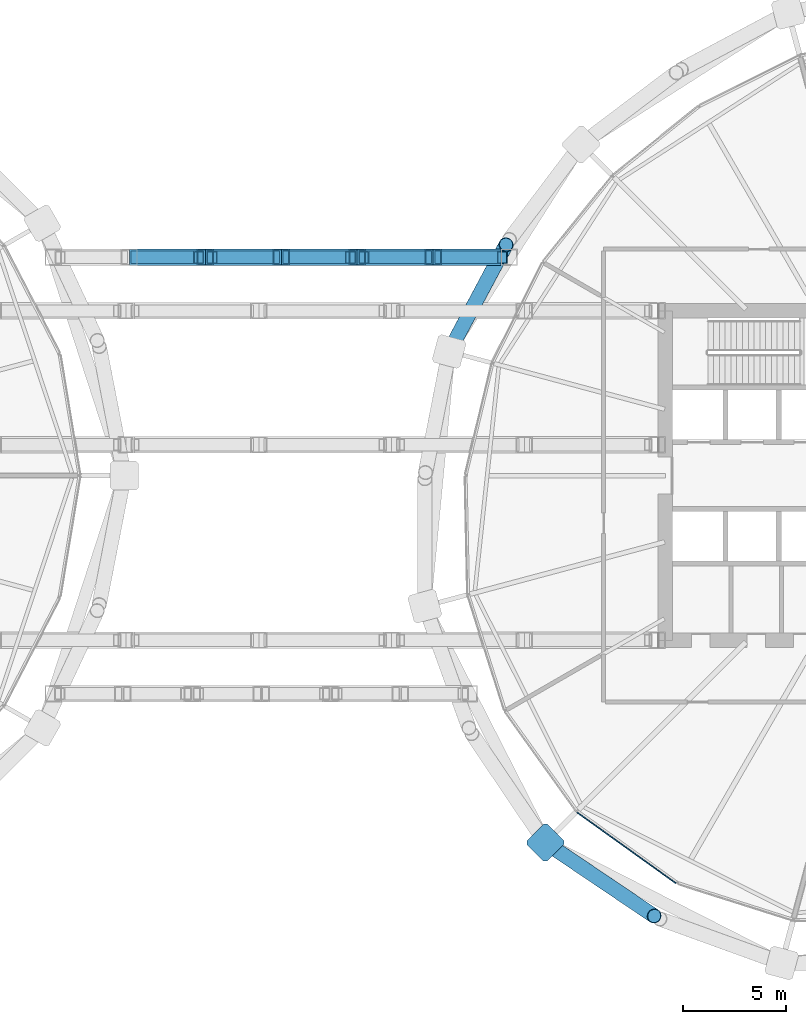
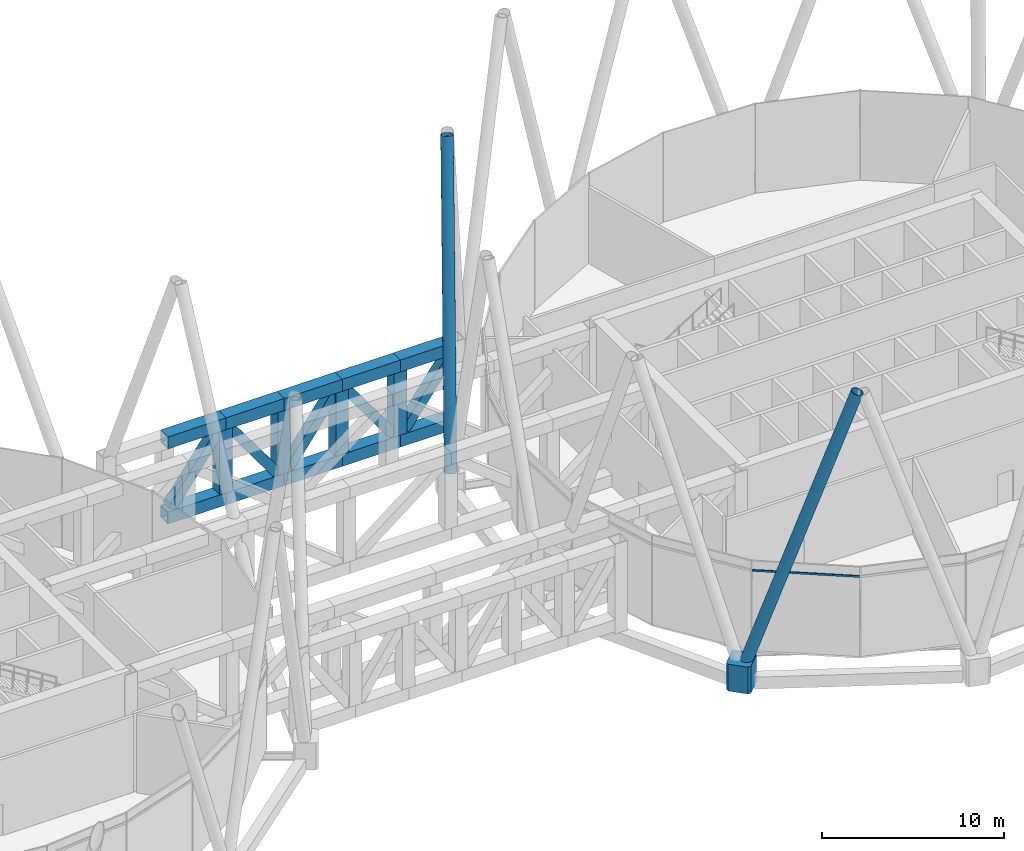
# One storey, part 17 of 39: 23 members, 1 element without a shape of its own.
"""IFC4 building model written with IfcOpenShell, lengths in metres."""

from ifc_helpers import new_model, si_unit, direction, frame, origin, origin_2d, place, context, subcontext, project, spatial, polyline, rectangle, hollow_rectangle, hollow_circle, outline, extrude, material, material_profile, profile_set, type_object, element, aggregate, save


model = new_model("IFC4")

# Units and contexts
model_context = context("Model", 3, precision=1e-05, world=origin(), true_north=direction((0.0, 1.0)))
body_context = subcontext(model_context, "Body", "Model", "MODEL_VIEW")
ifc_project = project(units=[si_unit("LENGTHUNIT", "METRE"), si_unit("AREAUNIT", "SQUARE_METRE"), si_unit("VOLUMEUNIT", "CUBIC_METRE"), si_unit("PLANEANGLEUNIT", "RADIAN"), si_unit("MASSUNIT", "GRAM", prefix="KILO")], contexts=[model_context])

# Site, building, storey
site_placement = place(None, origin())
site = spatial("IfcSite", under=ifc_project, at=site_placement, CompositionType="ELEMENT")
building_placement = place(site_placement, origin())
building = spatial("IfcBuilding", under=site, at=building_placement, Name="Rimbun Link Towers", CompositionType="ELEMENT")
storey_placement = place(building_placement, frame((0.0, 0.0, 127.199951171875)))
storey = spatial("IfcBuildingStorey", under=building, at=storey_placement, Name="L31", CompositionType="ELEMENT", Elevation=127.199951171875)

# Curtain wall, member
ifc_material_1 = material(Name="Aluminium 6063-T6 louvre wall", Category="aluminium")
curtain_wall_type = type_object("IfcCurtainWallType", Name="CW6 plant floor louvre wall", PredefinedType="NOTDEFINED", material=ifc_material_1)
curtain_wall_placement = place(storey_placement, origin())
curtain_wall = element("IfcCurtainWall", 1, at=curtain_wall_placement, inside=storey, type_object=curtain_wall_type, Name="CW6 L31 T2", PredefinedType="NOTDEFINED")
ifc_material_2 = material(Name="Aluminium 6063-T6", Category="aluminium")
ifc_material_profile_1 = material_profile(ifc_material_2, rectangle(XDim=0.06005859375, YDim=0.1201171875, at=origin_2d()), Name="TRANSOM 60X120")
ifc_profile_set_1 = profile_set([ifc_material_profile_1], Name="Aluminium 6063-T6")
member_type_1 = type_object("IfcMemberType", Name="CW6 transom 60X120", PredefinedType="USERDEFINED", material=ifc_profile_set_1)
member_1_placement = place(storey_placement, frame((20.263916015625, -19.80908203125, 5.400146484375), z_axis=(-0.812476177925, 0.582994391315, 0.0), x_axis=(-0.582994391315, -0.812476177925, 0.0)))
member_1 = element("IfcMember", 2, at=member_1_placement, type_object=member_type_1, Name="CW6 transom", ObjectType="TRANSOM", PredefinedType="USERDEFINED", context=body_context, shape_type="SweptSolid", body=[
    extrude(rectangle(XDim=0.06005859375, YDim=0.1201171875, at=origin_2d()), origin(), (0.0, 0.0, 1.0), 5.9130859375),
])
aggregate(curtain_wall, [member_1])

# Members
ifc_material_3 = material(Name="Steel S460NH", Category="steel")
ifc_material_profile_2 = material_profile(ifc_material_3, hollow_circle(Radius=0.355712890625, WallThickness=0.031982421875, at=origin_2d()), Name="Diagrid diagonal CHS 711x32")
ifc_profile_set_2 = profile_set([ifc_material_profile_2], Name="Steel S460NH")
member_type_2 = type_object("IfcMemberType", Name="Diagrid diagonal CHS 711x32", PredefinedType="BRACE", material=ifc_profile_set_2)
member_2_placement = place(storey_placement, frame((9.31787109375, 6.158935546875, 0.47802734375), z_axis=(0.138395565183, 0.259582421547, 0.955752914702), x_axis=(-0.882421239068, 0.470460154362, 0.0)))
element("IfcMember", 3, at=member_2_placement, inside=storey, type_object=member_type_2, Name="Diagrid diagonal T2 L31-L35 08a", PredefinedType="BRACE", context=body_context, shape_type="SweptSolid", body=[
    extrude(hollow_circle(Radius=0.355712890625, WallThickness=0.031982421875, at=origin_2d()), origin(), (0.0, 0.0, 1.0), 19.507080078125),
])
member_3_placement = place(storey_placement, frame((14.051513671875, -17.918212890625, 0.474365234375), z_axis=(0.262492343379, -0.177043579974, 0.948553288149), x_axis=(0.559171757313, 0.829051835426, 0.0)))
element("IfcMember", 4, at=member_3_placement, inside=storey, type_object=member_type_2, Name="Diagrid diagonal T2 L31-L35 12b", PredefinedType="BRACE", context=body_context, shape_type="SweptSolid", body=[
    extrude(hollow_circle(Radius=0.355712890625, WallThickness=0.031982421875, at=origin_2d()), origin(), (0.0, 0.0, 1.0), 19.662841796875),
])
ifc_material_4 = material(Name="Cast steel G20Mn5+QT, Rp0.2 300 MPa", Category="steel")
ifc_material_profile_3 = material_profile(ifc_material_4, outline(polyline([(0.699951171875, -0.570068359375), (0.699951171875, 0.570068359375), (0.570068359375, 0.699951171875), (-0.570068359375, 0.699951171875), (-0.699951171875, 0.570068359375), (-0.699951171875, -0.570068359375), (-0.570068359375, -0.699951171875), (0.570068359375, -0.699951171875), (0.699951171875, -0.570068359375)])), Name="NODE 1400x1400")
ifc_profile_set_3 = profile_set([ifc_material_profile_3], Name="Cast steel G20Mn5+QT, Rp0.2 300 MPa")
member_type_3 = type_object("IfcMemberType", Name="Diagrid node cast 1400", PredefinedType="USERDEFINED", material=ifc_profile_set_3)
member_4_placement = place(storey_placement, frame((13.920166015625, -17.829833984375, -0.89990234375), z_axis=(0.0, 0.0, 1.0), x_axis=(-0.707106781187, -0.707106781187, 0.0)))
element("IfcMember", 5, at=member_4_placement, inside=storey, type_object=member_type_3, Name="Diagrid node L31 12", ObjectType="Diagrid node", PredefinedType="USERDEFINED", context=body_context, shape_type="SweptSolid", body=[
    extrude(outline(polyline([(0.699951171875, -0.570068359375), (0.699951171875, 0.570068359375), (0.570068359375, 0.699951171875), (-0.570068359375, 0.699951171875), (-0.699951171875, 0.570068359375), (-0.699951171875, -0.570068359375), (-0.570068359375, -0.699951171875), (0.570068359375, -0.699951171875), (0.699951171875, -0.570068359375)])), origin(), (0.0, 0.0, 1.0), 1.800048828125),
])
ifc_material_5 = material(Name="Steel S460N", Category="steel")
ifc_material_profile_4 = material_profile(ifc_material_5, hollow_rectangle(XDim=0.800048828125, YDim=0.800048828125, WallThickness=0.050048828125, at=origin_2d()), Name="Link transfer truss chord BOX 800x800x50")
ifc_profile_set_4 = profile_set([ifc_material_profile_4], Name="Steel S460N")
member_type_4 = type_object("IfcMemberType", Name="Link transfer truss chord BOX 800x800x50", PredefinedType="CHORD", material=ifc_profile_set_4)
for number, where, z_axis, x_axis, name in (
    (6, (-6.2880859375, 10.60009765625, 0.400146484375), (1.0, 0.0, 0.0), (0.0, 1.0, 0.0), "Link face truss chord N bottom 01"),
    (7, (-6.2880859375, 10.60009765625, 5.43994140625), (1.0, 0.0, 0.0), (0.0, 1.0, 0.0), "Link face truss chord N top 01"),
    (8, (-2.59814453125, 10.60009765625, 0.400146484375), (1.0, 0.0, 0.0), (0.0, 1.0, 0.0), "Link face truss chord N bottom 02"),
    (9, (-2.59814453125, 10.60009765625, 5.43994140625), (1.0, 0.0, 0.0), (0.0, 1.0, 0.0), "Link face truss chord N top 02"),
    (10, (1.091796875, 10.60009765625, 0.400146484375), (1.0, 0.0, 0.0), (0.0, 1.0, 0.0), "Link face truss chord N bottom 03"),
    (11, (1.091796875, 10.60009765625, 5.43994140625), (1.0, 0.0, 0.0), (0.0, 1.0, 0.0), "Link face truss chord N top 03"),
    (12, (4.78173828125, 10.60009765625, 0.400146484375), (1.0, 0.0, 0.0), (0.0, 1.0, 0.0), "Link face truss chord N bottom 04"),
    (13, (4.78173828125, 10.60009765625, 5.43994140625), (1.0, 0.0, 0.0), (0.0, 1.0, 0.0), "Link face truss chord N top 04"),
):
    element("IfcMember", number, at=place(storey_placement, frame(where, z_axis=z_axis, x_axis=x_axis)), inside=storey, type_object=member_type_4, Name=name, PredefinedType="CHORD", context=body_context, shape_type="SweptSolid", body=[
        extrude(hollow_rectangle(XDim=0.800048828125, YDim=0.800048828125, WallThickness=0.050048828125, at=origin_2d()), origin(), (0.0, 0.0, 1.0), 3.68994140625),
    ])
for number, where, z_axis, x_axis, name in (
    (14, (8.4716796875, 10.60009765625, 0.400146484375), (1.0, 0.0, 0.0), (0.0, 1.0, 0.0), "Link face truss chord N bottom 05"),
    (15, (8.4716796875, 10.60009765625, 5.43994140625), (1.0, 0.0, 0.0), (0.0, 1.0, 0.0), "Link face truss chord N top 05"),
):
    element("IfcMember", number, at=place(storey_placement, frame(where, z_axis=z_axis, x_axis=x_axis)), inside=storey, type_object=member_type_4, Name=name, PredefinedType="CHORD", context=body_context, shape_type="SweptSolid", body=[
        extrude(hollow_rectangle(XDim=0.800048828125, YDim=0.800048828125, WallThickness=0.050048828125, at=origin_2d()), origin(), (0.0, 0.0, 1.0), 3.289794921875),
    ])
ifc_material_6 = material(Name="Steel S460N", Category="steel")
ifc_material_profile_5 = material_profile(ifc_material_6, hollow_rectangle(XDim=0.60009765625, YDim=0.60009765625, WallThickness=0.0400390625, at=origin_2d()), Name="Link transfer truss diagonal BOX 600x600x40")
ifc_profile_set_5 = profile_set([ifc_material_profile_5], Name="Steel S460N")
member_type_5 = type_object("IfcMemberType", Name="Link transfer truss diagonal BOX 600x600x40", PredefinedType="BRACE", material=ifc_profile_set_5)
for number, where, z_axis, x_axis, name in (
    (16, (-5.963134765625, 10.60009765625, 0.84375), (0.590707414581, 0.0, 0.806885834774), (0.0, 1.0, 0.0), "Link face truss diagonal N 01"),
    (17, (-2.273193359375, 10.60009765625, 4.996337890625), (0.590707414581, 0.0, -0.806885834774), (0.0, 1.0, 0.0), "Link face truss diagonal N 02"),
    (18, (1.416748046875, 10.60009765625, 0.84375), (0.590707414581, 0.0, 0.806885834774), (0.0, 1.0, 0.0), "Link face truss diagonal N 03"),
    (19, (5.106689453125, 10.60009765625, 4.996337890625), (0.590707414581, 0.0, -0.806885834774), (0.0, 1.0, 0.0), "Link face truss diagonal N 04"),
    (20, (8.79638671875, 10.60009765625, 0.84375), (0.590738298986, 0.0, 0.806863223918), (0.0, 1.0, 0.0), "Link face truss diagonal N 05"),
):
    element("IfcMember", number, at=place(storey_placement, frame(where, z_axis=z_axis, x_axis=x_axis)), inside=storey, type_object=member_type_5, Name=name, PredefinedType="BRACE", context=body_context, shape_type="SweptSolid", body=[
        extrude(hollow_rectangle(XDim=0.60009765625, YDim=0.60009765625, WallThickness=0.0400390625, at=origin_2d()), origin(), (0.0, 0.0, 1.0), 5.146484375),
    ])
ifc_material_7 = material(Name="Steel S460N", Category="steel")
ifc_material_profile_6 = material_profile(ifc_material_7, hollow_rectangle(XDim=0.800048828125, YDim=0.800048828125, WallThickness=0.050048828125, at=origin_2d()), Name="Link transfer truss post BOX 800x800x50")
ifc_profile_set_6 = profile_set([ifc_material_profile_6], Name="Steel S460N")
member_type_6 = type_object("IfcMemberType", Name="Link transfer truss post BOX 800x800x50", PredefinedType="POST", material=ifc_profile_set_6)
for number, where, z_axis, x_axis, name in (
    (21, (-2.59814453125, 10.60009765625, 0.800048828125), (0.0, 0.0, 1.0), (1.0, 0.0, 0.0), "Link face truss post N-02"),
    (22, (1.091796875, 10.60009765625, 0.800048828125), (0.0, 0.0, 1.0), (1.0, 0.0, 0.0), "Link face truss post N-03"),
    (23, (4.78173828125, 10.60009765625, 0.800048828125), (0.0, 0.0, 1.0), (1.0, 0.0, 0.0), "Link face truss post N-04"),
    (24, (8.4716796875, 10.60009765625, 0.800048828125), (0.0, 0.0, 1.0), (1.0, 0.0, 0.0), "Link face truss post N-05"),
):
    element("IfcMember", number, at=place(storey_placement, frame(where, z_axis=z_axis, x_axis=x_axis)), inside=storey, type_object=member_type_6, Name=name, PredefinedType="POST", context=body_context, shape_type="SweptSolid", body=[
        extrude(hollow_rectangle(XDim=0.800048828125, YDim=0.800048828125, WallThickness=0.050048828125, at=origin_2d()), origin(), (0.0, 0.0, 1.0), 4.239990234375),
    ])

save(model, "model.ifc")
